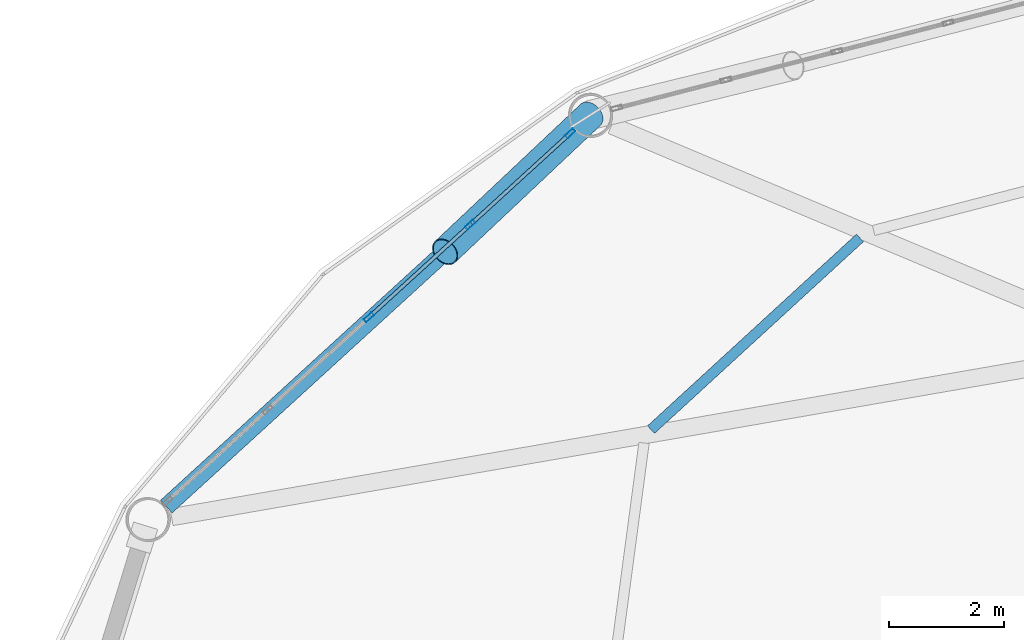
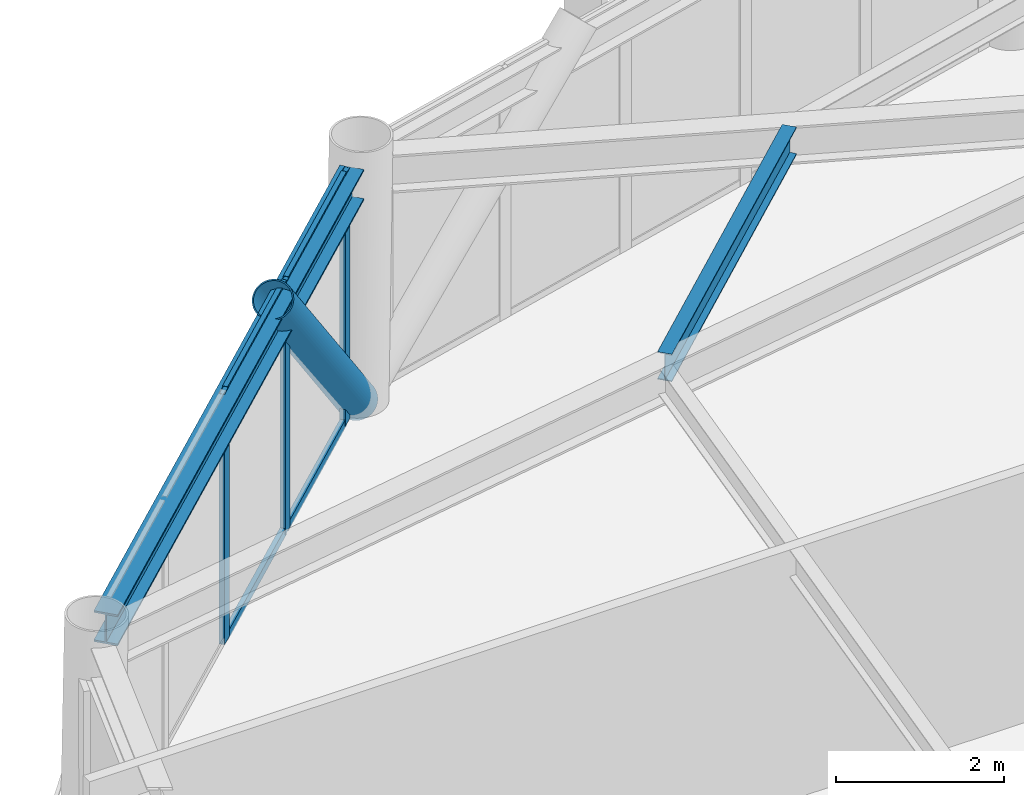
# One storey, part 15 of 25: 8 members, 2 beams, 1 element without a shape of its own.
"""IFC4 building model written with IfcOpenShell, lengths in metres."""

import ifcopenshell
import ifcopenshell.guid

model = None  # the IFC model being written
_history = None  # IfcOwnerHistory: only IFC2X3 demands one
_inside = {}  # id of a spatial element -> (the spatial element, [elements in it])
_under = {}  # id of a project, library or spatial element -> (it, [spatial elements below it])
_declared = {}  # id of a project -> (the project, [libraries it declares])
_typed = {}  # id of a type object -> (the type object, [elements of that type])
_made_of = {}  # id of a material, layer set ... -> (it, [elements and type objects made of it])


def new_model(schema):
    """Start an empty IFC model of exactly this schema.

    Asked for "IFC4X3", IfcOpenShell would pick the latest addendum, in which some entities
    have other attributes; the version numbers below select the first issue.
    IFC2X3 requires an IfcOwnerHistory on every rooted entity: one is made here for all.
    """
    global model, _history
    if schema == "IFC4X3":
        model = ifcopenshell.file(schema_version=(4, 3, 0, 0))
    else:
        model = ifcopenshell.file(schema=schema)
    _inside.clear()
    _under.clear()
    _declared.clear()
    _typed.clear()
    _made_of.clear()
    _history = None
    if model.schema == "IFC2X3":
        org = make("IfcOrganization", Name="unknown")
        user = make(
            "IfcPersonAndOrganization",
            ThePerson=make("IfcPerson", FamilyName="unknown"),
            TheOrganization=org,
        )
        app = make(
            "IfcApplication",
            ApplicationDeveloper=org,
            Version="unknown",
            ApplicationFullName="unknown",
            ApplicationIdentifier="unknown",
        )
        _history = make(
            "IfcOwnerHistory",
            OwningUser=user,
            OwningApplication=app,
            ChangeAction="ADDED",
            CreationDate=0,
        )
    return model


def make(cls, **values):
    """One entity of the class cls with the attributes given. An attribute that is None is left unset."""
    return model.create_entity(
        cls, **{name: value for name, value in values.items() if value is not None}
    )


def rooted(cls, **values):
    """An entity with a GlobalId (a new one), such as an element, a storey or a relation."""
    return make(cls, GlobalId=ifcopenshell.guid.new(), OwnerHistory=_history, **values)


def si_unit(unit_type, name, prefix=None):
    """IfcSIUnit, for example si_unit("LENGTHUNIT", "METRE", prefix="MILLI")."""
    return make("IfcSIUnit", UnitType=unit_type, Prefix=prefix, Name=name)


def assignment(units):
    """IfcUnitAssignment: the units of a project."""
    return None if units is None else make("IfcUnitAssignment", Units=units)


def point(xyz):
    """IfcCartesianPoint."""
    return None if xyz is None else make("IfcCartesianPoint", Coordinates=xyz)


def direction(xyz):
    """IfcDirection."""
    return None if xyz is None else make("IfcDirection", DirectionRatios=xyz)


def frame(location, z_axis=None, x_axis=None):
    """IfcAxis2Placement3D, a coordinate frame: its origin and axes. An axis left out is left unset."""
    return make(
        "IfcAxis2Placement3D",
        Location=point(location),
        Axis=direction(z_axis),
        RefDirection=direction(x_axis),
    )


def frame_2d(location, x_axis=None):
    """IfcAxis2Placement2D, a coordinate frame in the plane: its origin and x axis."""
    return make(
        "IfcAxis2Placement2D", Location=point(location), RefDirection=direction(x_axis)
    )


def origin():
    """The frame at (0, 0, 0) with its axes left unset."""
    return frame((0.0, 0.0, 0.0))


def origin_2d():
    """The frame at (0, 0) in the plane with its x axis left unset."""
    return frame_2d((0.0, 0.0))


def place(relative_to, where):
    """IfcLocalPlacement: puts the frame where relative to a parent placement (None: the world)."""
    return make(
        "IfcLocalPlacement", PlacementRelTo=relative_to, RelativePlacement=where
    )


def context(
    kind, dimensions, precision=None, world=None, true_north=None, identifier=None
):
    """IfcGeometricRepresentationContext, for example the 3D "Model" context."""
    return make(
        "IfcGeometricRepresentationContext",
        ContextIdentifier=identifier,
        ContextType=kind,
        CoordinateSpaceDimension=dimensions,
        Precision=precision,
        WorldCoordinateSystem=world,
        TrueNorth=true_north,
    )


def subcontext(parent, identifier, kind, view, scale=None):
    """IfcGeometricRepresentationSubContext, for example "Body" below "Model"."""
    return make(
        "IfcGeometricRepresentationSubContext",
        ContextIdentifier=identifier,
        ContextType=kind,
        ParentContext=parent,
        TargetScale=scale,
        TargetView=view,
    )


def project(units=None, contexts=None):
    """IfcProject with its units and contexts."""
    return rooted(
        "IfcProject",
        Name="project",
        RepresentationContexts=contexts,
        UnitsInContext=assignment(units),
    )


def spatial(cls, under=None, at=None, **own):
    """A site, building, storey or space (cls), placed at a placement, below another one or the project."""
    s = rooted(cls, ObjectPlacement=at, **own)
    if under is not None:
        _under.setdefault(under.id(), (under, []))[1].append(s)
    return s


def profile(cls, at=None, kind="AREA", **sizes):
    """A parametric profile (cls). Its sizes go by their IFC names, for example OverallWidth=200.0."""
    return make(cls, ProfileType=kind, Position=at, **sizes)


def hollow_rectangle(**sizes):
    """IfcRectangleHollowProfileDef."""
    return profile("IfcRectangleHollowProfileDef", **sizes)


def hollow_circle(**sizes):
    """IfcCircleHollowProfileDef."""
    return profile("IfcCircleHollowProfileDef", **sizes)


def i_section(**sizes):
    """IfcIShapeProfileDef."""
    return profile("IfcIShapeProfileDef", **sizes)


def extrude(swept, where, along, depth):
    """IfcExtrudedAreaSolid: the profile swept, set in the frame where, extruded along a direction by depth."""
    return make(
        "IfcExtrudedAreaSolid",
        SweptArea=swept,
        Position=where,
        ExtrudedDirection=direction(along),
        Depth=depth,
    )


def shape(context_of_items, identifier, shape_type, items):
    """IfcShapeRepresentation: the items that make up one representation, for example the "Body"."""
    return make(
        "IfcShapeRepresentation",
        ContextOfItems=context_of_items,
        RepresentationIdentifier=identifier,
        RepresentationType=shape_type,
        Items=items,
    )


def material(Name=None, Category=None):
    """IfcMaterial."""
    return make("IfcMaterial", Name=Name, Category=Category)


def layer(
    of_material, thickness, ventilated=None, Name=None, Category=None, Priority=None
):
    """IfcMaterialLayer: one layer of a wall or slab, of a material (None: an air gap)."""
    return make(
        "IfcMaterialLayer",
        Material=of_material,
        LayerThickness=thickness,
        IsVentilated=ventilated,
        Name=Name,
        Category=Category,
        Priority=Priority,
    )


def layer_set(layers, Name=None):
    """IfcMaterialLayerSet."""
    return make("IfcMaterialLayerSet", MaterialLayers=layers, LayerSetName=Name)


def material_profile(
    of_material, cross_section, Name=None, Category=None, Priority=None
):
    """IfcMaterialProfile: a cross section and its material."""
    return make(
        "IfcMaterialProfile",
        Name=Name,
        Material=of_material,
        Profile=cross_section,
        Priority=Priority,
        Category=Category,
    )


def profile_set(profiles, Name=None, composite=None):
    """IfcMaterialProfileSet."""
    return make(
        "IfcMaterialProfileSet",
        Name=Name,
        MaterialProfiles=profiles,
        CompositeProfile=composite,
    )


def made_of(thing, what):
    """Note that an element or type object is made of a material, layer set ...; save() writes the relation."""
    if what is not None:
        _made_of.setdefault(what.id(), (what, []))[1].append(thing)
    return thing


def type_object(cls, material=None, **own):
    """A type object (cls), such as IfcWallType, which elements share."""
    return made_of(rooted(cls, **own), material)


def element(
    cls,
    number,
    at=None,
    inside=None,
    cuts=None,
    type_object=None,
    material=None,
    context=None,
    identifier="Body",
    shape_type=None,
    held_by="IfcProductDefinitionShape",
    body=None,
    shapes=None,
    **own,
):
    """One element of the class cls, such as IfcWall. Its Tag is "e" and its number.

    at: its placement. inside: the storey or other place that contains it. cuts: it is an
    opening in that element (IfcRelVoidsElement). A single representation is given by context,
    identifier, shape_type and body (its items); several are given by shapes. held_by: the class
    of the entity that holds the representations. save() writes the other relations.
    """
    e = rooted(cls, Tag="e%d" % number, ObjectPlacement=at, **own)
    if body is not None:
        shapes = [shape(context, identifier, shape_type, body)]
    if shapes is not None:
        e.Representation = make(held_by, Representations=shapes)
    if inside is not None:
        _inside.setdefault(inside.id(), (inside, []))[1].append(e)
    if cuts is not None:
        rooted(
            "IfcRelVoidsElement", RelatingBuildingElement=cuts, RelatedOpeningElement=e
        )
    if type_object is not None:
        _typed.setdefault(type_object.id(), (type_object, []))[1].append(e)
    return made_of(e, material)


def aggregate(whole, parts):
    """IfcRelAggregates: a whole, such as a stair, and the parts it consists of."""
    return rooted("IfcRelAggregates", RelatingObject=whole, RelatedObjects=parts)


def save(model, path):
    """Write the relations noted so far, then the file.

    IfcRelAggregates (storeys below a building ...), IfcRelContainedInSpatialStructure (elements
    in a storey), IfcRelDefinesByType, IfcRelAssociatesMaterial and IfcRelDeclares: one each for
    every whole, place, type object, material and project.
    """
    for whole, parts in _under.values():
        aggregate(whole, parts)
    for where, things in _inside.values():
        rooted(
            "IfcRelContainedInSpatialStructure",
            RelatedElements=things,
            RelatingStructure=where,
        )
    for kind, things in _typed.values():
        rooted("IfcRelDefinesByType", RelatedObjects=things, RelatingType=kind)
    for what, things in _made_of.values():
        rooted("IfcRelAssociatesMaterial", RelatedObjects=things, RelatingMaterial=what)
    for by, libraries in _declared.values():
        rooted("IfcRelDeclares", RelatingContext=by, RelatedDefinitions=libraries)
    model.write(path)


model = new_model("IFC4")

# Units and contexts
model_context = context("Model", 3, precision=1e-05, world=origin(), true_north=direction((0.0, 1.0)))
body_context = subcontext(model_context, "Body", "Model", "MODEL_VIEW")
ifc_project = project(units=[si_unit("LENGTHUNIT", "METRE"), si_unit("AREAUNIT", "SQUARE_METRE"), si_unit("VOLUMEUNIT", "CUBIC_METRE"), si_unit("PLANEANGLEUNIT", "RADIAN"), si_unit("MASSUNIT", "GRAM", prefix="KILO")], contexts=[model_context])

# Site, building, storey
site_placement = place(None, origin())
site = spatial("IfcSite", under=ifc_project, at=site_placement, CompositionType="ELEMENT")
building_placement = place(site_placement, origin())
building = spatial("IfcBuilding", under=site, at=building_placement, Name="Varnakorn Sky Granary", CompositionType="ELEMENT")
storey_placement = place(building_placement, frame((0.0, 0.0, 122.699951171875)))
storey = spatial("IfcBuildingStorey", under=building, at=storey_placement, Name="L30", CompositionType="ELEMENT", Elevation=122.699951171875)

# Beams
ifc_material_1 = material(Name="Steel S355JR", Category="steel")
ifc_material_profile_1 = material_profile(ifc_material_1, i_section(OverallWidth=0.179931640625, OverallDepth=0.39990234375, WebThickness=0.008544921875, FlangeThickness=0.013427734375, at=origin_2d()), Name="IPE 400")
ifc_profile_set_1 = profile_set([ifc_material_profile_1], Name="Steel S355JR")
beam_type_1 = type_object("IfcBeamType", Name="BM-SEC-Z3", PredefinedType="BEAM", material=ifc_profile_set_1)
beam_1_placement = place(storey_placement, frame((-7.35009765625, 14.556396484375, 3.43994140625), z_axis=(-0.736834690252, -0.676072954082, 0.0), x_axis=(0.676072954082, -0.736834690252, 0.0)))
element("IfcBeam", 1, at=beam_1_placement, inside=storey, type_object=beam_type_1, Name="Secondary Floor Chord Beam MSB05 L30", PredefinedType="BEAM", context=body_context, shape_type="SweptSolid", body=[
    extrude(i_section(OverallWidth=0.179931640625, OverallDepth=0.39990234375, WebThickness=0.008544921875, FlangeThickness=0.013427734375, at=origin_2d()), origin(), (0.0, 0.0, 1.0), 4.9501953125),
])
ifc_material_profile_2 = material_profile(ifc_material_1, i_section(OverallWidth=0.300048828125, OverallDepth=0.449951171875, WebThickness=0.013916015625, FlangeThickness=0.02587890625, at=origin_2d()), Name="HE 450 B")
ifc_profile_set_2 = profile_set([ifc_material_profile_2], Name="Steel S355JR")
beam_type_2 = type_object("IfcBeamType", Name="BM-SPD-Z3", PredefinedType="SPANDREL", material=ifc_profile_set_2)
beam_2_placement = place(storey_placement, frame((-12.294189453125, 16.41455078125, 3.4150390625), z_axis=(-0.738115063522, -0.674674849836, 0.0), x_axis=(0.674674849836, -0.738115063522, 0.0)))
element("IfcBeam", 2, at=beam_2_placement, inside=storey, type_object=beam_type_2, Name="Perimeter Spandrel Ring Beam RB05 L30", PredefinedType="SPANDREL", context=body_context, shape_type="SweptSolid", body=[
    extrude(i_section(OverallWidth=0.300048828125, OverallDepth=0.449951171875, WebThickness=0.013916015625, FlangeThickness=0.02587890625, at=origin_2d()), origin(), (0.0, 0.0, 1.0), 9.70556640625),
])

# Curtain wall, members
ifc_material_2 = material(Name="Anodised Bronze Aluminium Alloy 6063-T6", Category="aluminium")
ifc_layer = layer(ifc_material_2, 0.179931640625, Name="Anodised Bronze Aluminium Alloy 6063-T6")
ifc_layer_set = layer_set([ifc_layer], Name="Anodised Bronze Aluminium Alloy 6063-T6")
curtain_wall_type = type_object("IfcCurtainWallType", Name="CW-FRM-2", PredefinedType="USERDEFINED", material=ifc_layer_set)
curtain_wall_placement = place(storey_placement, origin())
curtain_wall = element("IfcCurtainWall", 3, at=curtain_wall_placement, inside=storey, type_object=curtain_wall_type, Name="Unitised Curtain Wall CW4 CW-L30-B05", ObjectType="CURTAIN WALL", PredefinedType="USERDEFINED")
ifc_material_profile_3 = material_profile(ifc_material_2, hollow_rectangle(XDim=0.070068359375, YDim=0.18505859375, WallThickness=0.00390625, at=origin_2d()), Name="ALU MULL 70x185")
ifc_profile_set_3 = profile_set([ifc_material_profile_3], Name="Anodised Bronze Aluminium Alloy 6063-T6")
member_type_1 = type_object("IfcMemberType", Name="CW-FRM-2-MULL", PredefinedType="MULLION", material=ifc_profile_set_3)
member_1_placement = place(storey_placement, frame((-15.921875, 13.172607421875, 0.0), z_axis=(0.0, 0.0, 1.0), x_axis=(-0.674407385715, 0.738359450466, 0.0)))
member_1 = element("IfcMember", 4, at=member_1_placement, type_object=member_type_1, Name="CW4 mullion 3", PredefinedType="MULLION", context=body_context, shape_type="SweptSolid", body=[
    extrude(hollow_rectangle(XDim=0.070068359375, YDim=0.18505859375, WallThickness=0.00390625, at=origin_2d()), origin(), (0.0, 0.0, 1.0), 3.64013671875),
])
member_2_placement = place(storey_placement, frame((-14.15234375, 14.788818359375, 0.0), z_axis=(0.0, 0.0, 1.0), x_axis=(-0.674407385715, 0.738359450466, 0.0)))
member_2 = element("IfcMember", 5, at=member_2_placement, type_object=member_type_1, Name="CW4 mullion 4", PredefinedType="MULLION", context=body_context, shape_type="SweptSolid", body=[
    extrude(hollow_rectangle(XDim=0.070068359375, YDim=0.18505859375, WallThickness=0.00390625, at=origin_2d()), origin(), (0.0, 0.0, 1.0), 3.64013671875),
])
member_3_placement = place(storey_placement, frame((-12.408935546875, 16.381103515625, 0.0), z_axis=(0.0, 0.0, 1.0), x_axis=(-0.674407385715, 0.738359450466, 0.0)))
member_3 = element("IfcMember", 6, at=member_3_placement, type_object=member_type_1, Name="CW4 mullion 5", PredefinedType="MULLION", context=body_context, shape_type="SweptSolid", body=[
    extrude(hollow_rectangle(XDim=0.070068359375, YDim=0.18505859375, WallThickness=0.00390625, at=origin_2d()), origin(), (0.0, 0.0, 1.0), 3.64013671875),
])
ifc_material_profile_4 = material_profile(ifc_material_2, hollow_rectangle(XDim=0.06494140625, YDim=0.1201171875, WallThickness=0.00341796875, at=origin_2d()), Name="ALU TRAN 65x120")
ifc_profile_set_4 = profile_set([ifc_material_profile_4], Name="Anodised Bronze Aluminium Alloy 6063-T6")
member_type_2 = type_object("IfcMemberType", Name="CW-FRM-2-TRAN", PredefinedType="USERDEFINED", material=ifc_profile_set_4)
member_4_placement = place(storey_placement, frame((-15.89599609375, 13.1962890625, 0.032470703125), z_axis=(0.738390062698, 0.674373869088, 0.0), x_axis=(-0.674373869088, 0.738390062698, 0.0)))
member_4 = element("IfcMember", 7, at=member_4_placement, type_object=member_type_2, Name="CW4 transom 3.1", ObjectType="TRANSOM", PredefinedType="USERDEFINED", context=body_context, shape_type="SweptSolid", body=[
    extrude(hollow_rectangle(XDim=0.06494140625, YDim=0.1201171875, WallThickness=0.00341796875, at=origin_2d()), origin(), (0.0, 0.0, 1.0), 2.326416015625),
])
member_5_placement = place(storey_placement, frame((-15.89599609375, 13.1962890625, 3.607666015625), z_axis=(0.738390062698, 0.674373869088, 0.0), x_axis=(-0.674373869088, 0.738390062698, 0.0)))
member_5 = element("IfcMember", 8, at=member_5_placement, type_object=member_type_2, Name="CW4 transom 3.2", ObjectType="TRANSOM", PredefinedType="USERDEFINED", context=body_context, shape_type="SweptSolid", body=[
    extrude(hollow_rectangle(XDim=0.06494140625, YDim=0.1201171875, WallThickness=0.00341796875, at=origin_2d()), origin(), (0.0, 0.0, 1.0), 2.326416015625),
])
member_6_placement = place(storey_placement, frame((-14.126708984375, 14.812255859375, 0.032470703125), z_axis=(0.738347081543, 0.674420927297, 0.0), x_axis=(-0.674420927297, 0.738347081543, 0.0)))
member_6 = element("IfcMember", 9, at=member_6_placement, type_object=member_type_2, Name="CW4 transom 4.1", ObjectType="TRANSOM", PredefinedType="USERDEFINED", context=body_context, shape_type="SweptSolid", body=[
    extrude(hollow_rectangle(XDim=0.06494140625, YDim=0.1201171875, WallThickness=0.00341796875, at=origin_2d()), origin(), (0.0, 0.0, 1.0), 2.29150390625),
])
member_7_placement = place(storey_placement, frame((-14.126708984375, 14.812255859375, 3.607666015625), z_axis=(0.738347081543, 0.674420927297, 0.0), x_axis=(-0.674420927297, 0.738347081543, 0.0)))
member_7 = element("IfcMember", 10, at=member_7_placement, type_object=member_type_2, Name="CW4 transom 4.2", ObjectType="TRANSOM", PredefinedType="USERDEFINED", context=body_context, shape_type="SweptSolid", body=[
    extrude(hollow_rectangle(XDim=0.06494140625, YDim=0.1201171875, WallThickness=0.00341796875, at=origin_2d()), origin(), (0.0, 0.0, 1.0), 2.29150390625),
])
aggregate(curtain_wall, [member_1, member_2, member_3, member_4, member_5, member_6, member_7])

# Member
ifc_material_3 = material(Name="Steel S460M", Category="steel")
ifc_material_profile_5 = material_profile(ifc_material_3, hollow_circle(Radius=0.25390625, WallThickness=0.01806640625, at=origin_2d()), Name="CHS 508x18")
ifc_profile_set_5 = profile_set([ifc_material_profile_5], Name="Steel S460M")
member_type_3 = type_object("IfcMemberType", Name="MB-DIAG-T2", PredefinedType="BRACE", material=ifc_profile_set_5)
member_8_placement = place(storey_placement, frame((-12.0576171875, 16.7021484375, 0.0), z_axis=(-0.492423343073, -0.463962307928, 0.736381849327), x_axis=(0.685760438188, -0.727827329397, 0.0)))
element("IfcMember", 11, at=member_8_placement, inside=storey, type_object=member_type_3, Name="Perimeter CHS Diagrid Brace DG05 L30", PredefinedType="BRACE", context=body_context, shape_type="SweptSolid", body=[
    extrude(hollow_circle(Radius=0.25390625, WallThickness=0.01806640625, at=origin_2d()), origin(), (0.0, 0.0, 1.0), 5.146728515625),
])

save(model, "model.ifc")
